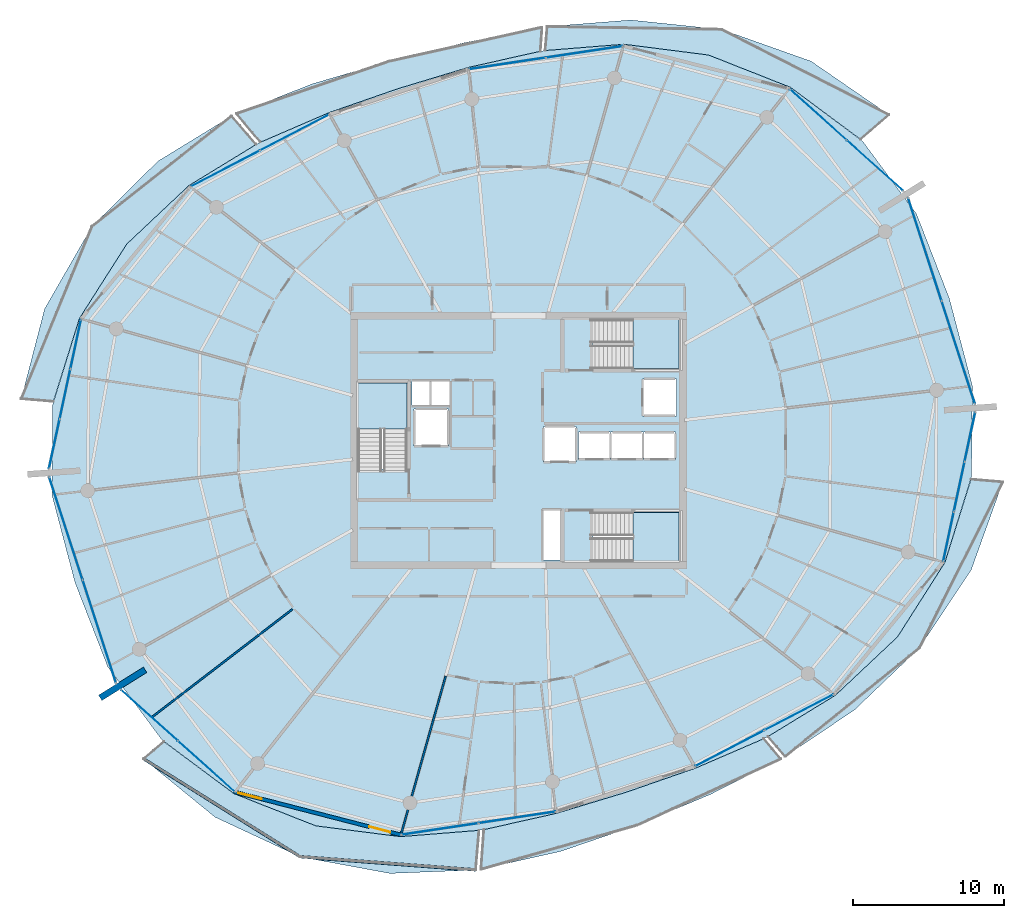
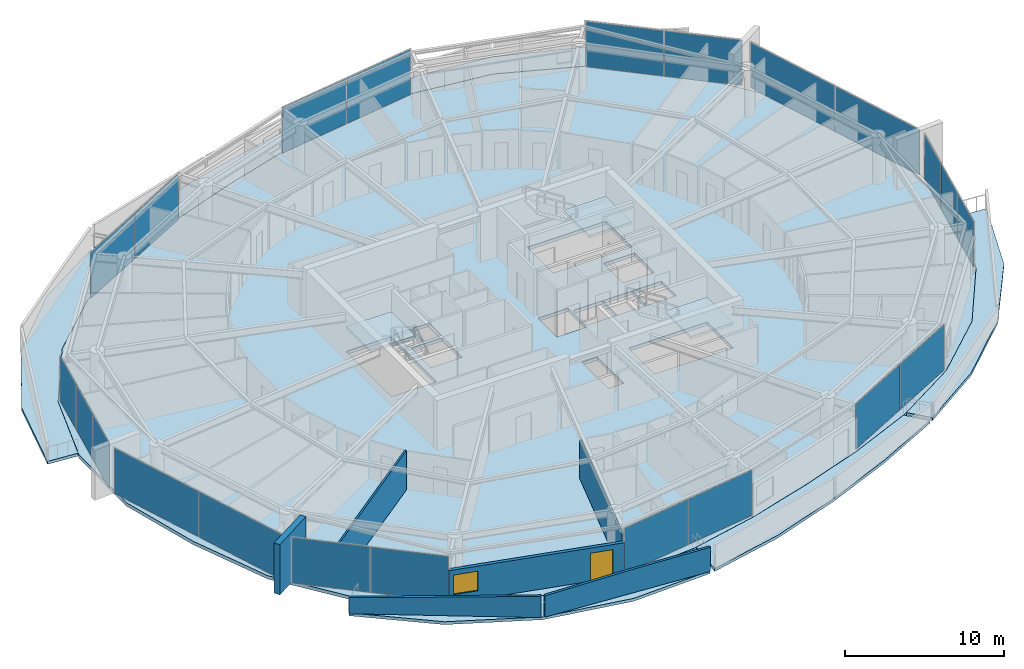
# One storey, part 17 of 30: 22 plates, 10 slabs, 6 walls, 1 door, 1 window, 2 openings, 13 elements without a shape of their own.
"""IFC4 building model written with IfcOpenShell, lengths in metres."""

from ifc_helpers import new_model, si_unit, direction, frame, frame_2d, origin, origin_2d, place, context, subcontext, project, spatial, polyline, rectangle, outline, extrude, material, layer, layer_set, type_object, element, fill, aggregate, save


model = new_model("IFC4")

# Units and contexts
model_context = context("Model", 3, precision=1e-05, world=origin(), true_north=direction((0.0, 1.0)))
body_context = subcontext(model_context, "Body", "Model", "MODEL_VIEW")
ifc_project = project(units=[si_unit("LENGTHUNIT", "METRE"), si_unit("AREAUNIT", "SQUARE_METRE"), si_unit("VOLUMEUNIT", "CUBIC_METRE"), si_unit("PLANEANGLEUNIT", "RADIAN"), si_unit("MASSUNIT", "GRAM", prefix="KILO")], contexts=[model_context])

# Site, building, storey
site_placement = place(None, origin())
site = spatial("IfcSite", under=ifc_project, at=site_placement, CompositionType="ELEMENT")
building_placement = place(site_placement, origin())
building = spatial("IfcBuilding", under=site, at=building_placement, Name="Kazma Halo Residences", CompositionType="ELEMENT")
storey_placement = place(building_placement, frame((0.0, 0.0, 298.300048828125)))
storey = spatial("IfcBuildingStorey", under=building, at=storey_placement, Name="L75", CompositionType="ELEMENT", Elevation=298.300048828125)

# Curtain wall, plates
ifc_material_1 = material(Name="Aluminium AW-6063 T6 and Triple-Silver Low-E Glass", Category="aluminium")
ifc_layer_1 = layer(ifc_material_1, 0.139892578125)
ifc_layer_set_1 = layer_set([ifc_layer_1], Name="Aluminium AW-6063 T6 and Triple-Silver Low-E Glass")
curtain_wall_type = type_object("IfcCurtainWallType", Name="CW-SYS-5", PredefinedType="NOTDEFINED", material=ifc_layer_set_1)
curtain_wall_1_placement = place(storey_placement, origin())
curtain_wall_1 = element("IfcCurtainWall", 1, at=curtain_wall_1_placement, inside=storey, type_object=curtain_wall_type, Name="L75 unitised curtain wall B01", PredefinedType="NOTDEFINED")
ifc_material_2 = material(Name="Clear Triple-Silver Low-E Glass IGU", Category="glass")
ifc_layer_2 = layer(ifc_material_2, 0.02587890625)
ifc_layer_set_2 = layer_set([ifc_layer_2], Name="Clear Triple-Silver Low-E Glass IGU")
plate_type = type_object("IfcPlateType", Name="CW-SYS-5-PNL", PredefinedType="CURTAIN_PANEL", material=ifc_layer_set_2)
plate_1_placement = place(storey_placement, frame((72.002685546875, 60.179443359375, 0.06005859375), z_axis=(0.0, 0.0, 1.0), x_axis=(-0.744336424671, 0.667804826958, 0.0)))
plate_1 = element("IfcPlate", 2, at=plate_1_placement, type_object=plate_type, Name="CWS-5 panel 1.1", PredefinedType="CURTAIN_PANEL", context=body_context, shape_type="SweptSolid", body=[
    extrude(rectangle(XDim=4.993408203125, YDim=0.02587890625, at=origin_2d()), origin(), (0.0, 0.0, 1.0), 3.469970703125),
])
plate_2_placement = place(storey_placement, frame((68.2412109375, 63.55419921875, 0.06005859375), z_axis=(0.0, 0.0, 1.0), x_axis=(-0.744336424671, 0.667804826958, 0.0)))
plate_2 = element("IfcPlate", 3, at=plate_2_placement, type_object=plate_type, Name="CWS-5 panel 2.1", PredefinedType="CURTAIN_PANEL", context=body_context, shape_type="SweptSolid", body=[
    extrude(rectangle(XDim=4.993408203125, YDim=0.02587890625, at=origin_2d()), origin(), (0.0, 0.0, 1.0), 3.469970703125),
])
aggregate(curtain_wall_1, [plate_1, plate_2])

curtain_wall_2_placement = place(storey_placement, origin())
curtain_wall_2 = element("IfcCurtainWall", 4, at=curtain_wall_2_placement, inside=storey, type_object=curtain_wall_type, Name="L75 unitised curtain wall B03", PredefinedType="NOTDEFINED")
plate_3_placement = place(storey_placement, frame((52.77783203125, 67.70361328125, 0.06005859375), z_axis=(0.0, 0.0, 1.0), x_axis=(-0.988882792998, -0.148697080374, 0.0)))
plate_3 = element("IfcPlate", 5, at=plate_3_placement, type_object=plate_type, Name="CWS-5 panel 1.1", PredefinedType="CURTAIN_PANEL", context=body_context, shape_type="SweptSolid", body=[
    extrude(rectangle(XDim=5.099853515625, YDim=0.02587890625, at=origin_2d()), origin(), (0.0, 0.0, 1.0), 3.469970703125),
])
plate_4_placement = place(storey_placement, frame((47.67529296875, 66.936279296875, 0.06005859375), z_axis=(0.0, 0.0, 1.0), x_axis=(-0.988882792998, -0.148697080374, 0.0)))
plate_4 = element("IfcPlate", 6, at=plate_4_placement, type_object=plate_type, Name="CWS-5 panel 2.1", PredefinedType="CURTAIN_PANEL", context=body_context, shape_type="SweptSolid", body=[
    extrude(rectangle(XDim=5.099853515625, YDim=0.02587890625, at=origin_2d()), origin(), (0.0, 0.0, 1.0), 3.469970703125),
])
aggregate(curtain_wall_2, [plate_3, plate_4])

curtain_wall_3_placement = place(storey_placement, origin())
curtain_wall_3 = element("IfcCurtainWall", 7, at=curtain_wall_3_placement, inside=storey, type_object=curtain_wall_type, Name="L75 unitised curtain wall B05", PredefinedType="NOTDEFINED")
plate_5_placement = place(storey_placement, frame((33.60546875, 62.36474609375, 0.06005859375), z_axis=(0.0, 0.0, 1.0), x_axis=(-0.887420518694, -0.460960760804, 0.0)))
plate_5 = element("IfcPlate", 8, at=plate_5_placement, type_object=plate_type, Name="CWS-5 panel 1.1", PredefinedType="CURTAIN_PANEL", context=body_context, shape_type="SweptSolid", body=[
    extrude(rectangle(XDim=5.099609375, YDim=0.02587890625, at=origin_2d()), origin(), (0.0, 0.0, 1.0), 3.469970703125),
])
plate_6_placement = place(storey_placement, frame((29.026611328125, 59.986328125, 0.06005859375), z_axis=(0.0, 0.0, 1.0), x_axis=(-0.887420518694, -0.460960760804, 0.0)))
plate_6 = element("IfcPlate", 9, at=plate_6_placement, type_object=plate_type, Name="CWS-5 panel 2.1", PredefinedType="CURTAIN_PANEL", context=body_context, shape_type="SweptSolid", body=[
    extrude(rectangle(XDim=5.099609375, YDim=0.02587890625, at=origin_2d()), origin(), (0.0, 0.0, 1.0), 3.469970703125),
])
aggregate(curtain_wall_3, [plate_5, plate_6])

curtain_wall_4_placement = place(storey_placement, origin())
curtain_wall_4 = element("IfcCurtainWall", 10, at=curtain_wall_4_placement, inside=storey, type_object=curtain_wall_type, Name="L75 unitised curtain wall B07", PredefinedType="NOTDEFINED")
plate_7_placement = place(storey_placement, frame((19.133056640625, 48.36865234375, 0.06005859375), z_axis=(0.0, 0.0, 1.0), x_axis=(-0.209657382603, -0.97777491373, 0.0)))
plate_7 = element("IfcPlate", 11, at=plate_7_placement, type_object=plate_type, Name="CWS-5 panel 1.1", PredefinedType="CURTAIN_PANEL", context=body_context, shape_type="SweptSolid", body=[
    extrude(rectangle(XDim=3.299072265625, YDim=0.02587890625, at=origin_2d()), origin(), (0.0, 0.0, 1.0), 3.469970703125),
])
plate_8_placement = place(storey_placement, frame((18.42578125, 45.069580078125, 0.06005859375), z_axis=(0.0, 0.0, 1.0), x_axis=(-0.209657382603, -0.97777491373, 0.0)))
plate_8 = element("IfcPlate", 12, at=plate_8_placement, type_object=plate_type, Name="CWS-5 panel 2.1", PredefinedType="CURTAIN_PANEL", context=body_context, shape_type="SweptSolid", body=[
    extrude(rectangle(XDim=3.3291015625, YDim=0.02587890625, at=origin_2d()), origin(), (0.0, 0.0, 1.0), 3.469970703125),
])
plate_9_placement = place(storey_placement, frame((17.71826171875, 41.7705078125, 0.06005859375), z_axis=(0.0, 0.0, 1.0), x_axis=(-0.209657382603, -0.97777491373, 0.0)))
plate_9 = element("IfcPlate", 13, at=plate_9_placement, type_object=plate_type, Name="CWS-5 panel 3.1", PredefinedType="CURTAIN_PANEL", context=body_context, shape_type="SweptSolid", body=[
    extrude(rectangle(XDim=3.299072265625, YDim=0.02587890625, at=origin_2d()), origin(), (0.0, 0.0, 1.0), 3.469970703125),
])
aggregate(curtain_wall_4, [plate_7, plate_8, plate_9])

curtain_wall_5_placement = place(storey_placement, origin())
curtain_wall_5 = element("IfcCurtainWall", 14, at=curtain_wall_5_placement, inside=storey, type_object=curtain_wall_type, Name="L75 unitised curtain wall B08", PredefinedType="NOTDEFINED")
plate_10_placement = place(storey_placement, frame((18.48486328125, 36.1787109375, 0.06005859375), z_axis=(0.0, 0.0, 1.0), x_axis=(0.309010998786, -0.951058464359, 0.0)))
plate_10 = element("IfcPlate", 15, at=plate_10_placement, type_object=plate_type, Name="CWS-5 panel 1.1", PredefinedType="CURTAIN_PANEL", context=body_context, shape_type="SweptSolid", body=[
    extrude(rectangle(XDim=7.108642578125, YDim=0.02587890625, at=origin_2d()), origin(), (0.0, 0.0, 1.0), 3.469970703125),
])
plate_11_placement = place(storey_placement, frame((20.699951171875, 29.36083984375, 0.06005859375), z_axis=(0.0, 0.0, 1.0), x_axis=(0.309010998786, -0.951058464359, 0.0)))
plate_11 = element("IfcPlate", 16, at=plate_11_placement, type_object=plate_type, Name="CWS-5 panel 2.1", PredefinedType="CURTAIN_PANEL", context=body_context, shape_type="SweptSolid", body=[
    extrude(rectangle(XDim=7.108642578125, YDim=0.02587890625, at=origin_2d()), origin(), (0.0, 0.0, 1.0), 3.469970703125),
])
aggregate(curtain_wall_5, [plate_10, plate_11])

curtain_wall_6_placement = place(storey_placement, origin())
curtain_wall_6 = element("IfcCurtainWall", 17, at=curtain_wall_6_placement, inside=storey, type_object=curtain_wall_type, Name="L75 unitised curtain wall B09", PredefinedType="NOTDEFINED")
plate_12_placement = place(storey_placement, frame((23.997314453125, 23.820556640625, 0.06005859375), z_axis=(0.0, 0.0, 1.0), x_axis=(0.744336424671, -0.667804826958, 0.0)))
plate_12 = element("IfcPlate", 18, at=plate_12_placement, type_object=plate_type, Name="CWS-5 panel 1.1", PredefinedType="CURTAIN_PANEL", context=body_context, shape_type="SweptSolid", body=[
    extrude(rectangle(XDim=4.993408203125, YDim=0.02587890625, at=origin_2d()), origin(), (0.0, 0.0, 1.0), 3.469970703125),
])
plate_13_placement = place(storey_placement, frame((27.7587890625, 20.44580078125, 0.06005859375), z_axis=(0.0, 0.0, 1.0), x_axis=(0.744336424671, -0.667804826958, 0.0)))
plate_13 = element("IfcPlate", 19, at=plate_13_placement, type_object=plate_type, Name="CWS-5 panel 2.1", PredefinedType="CURTAIN_PANEL", context=body_context, shape_type="SweptSolid", body=[
    extrude(rectangle(XDim=4.993408203125, YDim=0.02587890625, at=origin_2d()), origin(), (0.0, 0.0, 1.0), 3.469970703125),
])
aggregate(curtain_wall_6, [plate_12, plate_13])

curtain_wall_7_placement = place(storey_placement, origin())
curtain_wall_7 = element("IfcCurtainWall", 20, at=curtain_wall_7_placement, inside=storey, type_object=curtain_wall_type, Name="L75 unitised curtain wall B11", PredefinedType="NOTDEFINED")
plate_14_placement = place(storey_placement, frame((43.22216796875, 16.29638671875, 0.06005859375), z_axis=(0.0, 0.0, 1.0), x_axis=(0.988882792998, 0.148697080374, 0.0)))
plate_14 = element("IfcPlate", 21, at=plate_14_placement, type_object=plate_type, Name="CWS-5 panel 1.1", PredefinedType="CURTAIN_PANEL", context=body_context, shape_type="SweptSolid", body=[
    extrude(rectangle(XDim=5.099853515625, YDim=0.02587890625, at=origin_2d()), origin(), (0.0, 0.0, 1.0), 3.469970703125),
])
plate_15_placement = place(storey_placement, frame((48.32470703125, 17.063720703125, 0.06005859375), z_axis=(0.0, 0.0, 1.0), x_axis=(0.988882792998, 0.148697080374, 0.0)))
plate_15 = element("IfcPlate", 22, at=plate_15_placement, type_object=plate_type, Name="CWS-5 panel 2.1", PredefinedType="CURTAIN_PANEL", context=body_context, shape_type="SweptSolid", body=[
    extrude(rectangle(XDim=5.099853515625, YDim=0.02587890625, at=origin_2d()), origin(), (0.0, 0.0, 1.0), 3.469970703125),
])
aggregate(curtain_wall_7, [plate_14, plate_15])

curtain_wall_8_placement = place(storey_placement, origin())
curtain_wall_8 = element("IfcCurtainWall", 23, at=curtain_wall_8_placement, inside=storey, type_object=curtain_wall_type, Name="L75 unitised curtain wall B13", PredefinedType="NOTDEFINED")
plate_16_placement = place(storey_placement, frame((62.39453125, 21.63525390625, 0.06005859375), z_axis=(0.0, 0.0, 1.0), x_axis=(0.887420518694, 0.460960760804, 0.0)))
plate_16 = element("IfcPlate", 24, at=plate_16_placement, type_object=plate_type, Name="CWS-5 panel 1.1", PredefinedType="CURTAIN_PANEL", context=body_context, shape_type="SweptSolid", body=[
    extrude(rectangle(XDim=5.099609375, YDim=0.02587890625, at=origin_2d()), origin(), (0.0, 0.0, 1.0), 3.469970703125),
])
plate_17_placement = place(storey_placement, frame((66.973388671875, 24.013671875, 0.06005859375), z_axis=(0.0, 0.0, 1.0), x_axis=(0.887420518694, 0.460960760804, 0.0)))
plate_17 = element("IfcPlate", 25, at=plate_17_placement, type_object=plate_type, Name="CWS-5 panel 2.1", PredefinedType="CURTAIN_PANEL", context=body_context, shape_type="SweptSolid", body=[
    extrude(rectangle(XDim=5.099609375, YDim=0.02587890625, at=origin_2d()), origin(), (0.0, 0.0, 1.0), 3.469970703125),
])
aggregate(curtain_wall_8, [plate_16, plate_17])

curtain_wall_9_placement = place(storey_placement, origin())
curtain_wall_9 = element("IfcCurtainWall", 26, at=curtain_wall_9_placement, inside=storey, type_object=curtain_wall_type, Name="L75 unitised curtain wall B15", PredefinedType="NOTDEFINED")
plate_18_placement = place(storey_placement, frame((76.866943359375, 35.63134765625, 0.06005859375), z_axis=(0.0, 0.0, 1.0), x_axis=(0.209657382603, 0.97777491373, 0.0)))
plate_18 = element("IfcPlate", 27, at=plate_18_placement, type_object=plate_type, Name="CWS-5 panel 1.1", PredefinedType="CURTAIN_PANEL", context=body_context, shape_type="SweptSolid", body=[
    extrude(rectangle(XDim=3.299072265625, YDim=0.02587890625, at=origin_2d()), origin(), (0.0, 0.0, 1.0), 3.469970703125),
])
plate_19_placement = place(storey_placement, frame((77.57421875, 38.930419921875, 0.06005859375), z_axis=(0.0, 0.0, 1.0), x_axis=(0.209657382603, 0.97777491373, 0.0)))
plate_19 = element("IfcPlate", 28, at=plate_19_placement, type_object=plate_type, Name="CWS-5 panel 2.1", PredefinedType="CURTAIN_PANEL", context=body_context, shape_type="SweptSolid", body=[
    extrude(rectangle(XDim=3.3291015625, YDim=0.02587890625, at=origin_2d()), origin(), (0.0, 0.0, 1.0), 3.469970703125),
])
plate_20_placement = place(storey_placement, frame((78.28173828125, 42.2294921875, 0.06005859375), z_axis=(0.0, 0.0, 1.0), x_axis=(0.209657382603, 0.97777491373, 0.0)))
plate_20 = element("IfcPlate", 29, at=plate_20_placement, type_object=plate_type, Name="CWS-5 panel 3.1", PredefinedType="CURTAIN_PANEL", context=body_context, shape_type="SweptSolid", body=[
    extrude(rectangle(XDim=3.299072265625, YDim=0.02587890625, at=origin_2d()), origin(), (0.0, 0.0, 1.0), 3.469970703125),
])
aggregate(curtain_wall_9, [plate_18, plate_19, plate_20])

curtain_wall_10_placement = place(storey_placement, origin())
curtain_wall_10 = element("IfcCurtainWall", 30, at=curtain_wall_10_placement, inside=storey, type_object=curtain_wall_type, Name="L75 unitised curtain wall B16", PredefinedType="NOTDEFINED")
plate_21_placement = place(storey_placement, frame((77.51513671875, 47.8212890625, 0.06005859375), z_axis=(0.0, 0.0, 1.0), x_axis=(-0.309010998786, 0.951058464359, 0.0)))
plate_21 = element("IfcPlate", 31, at=plate_21_placement, type_object=plate_type, Name="CWS-5 panel 1.1", PredefinedType="CURTAIN_PANEL", context=body_context, shape_type="SweptSolid", body=[
    extrude(rectangle(XDim=7.108642578125, YDim=0.02587890625, at=origin_2d()), origin(), (0.0, 0.0, 1.0), 3.469970703125),
])
plate_22_placement = place(storey_placement, frame((75.300048828125, 54.63916015625, 0.06005859375), z_axis=(0.0, 0.0, 1.0), x_axis=(-0.309010998786, 0.951058464359, 0.0)))
plate_22 = element("IfcPlate", 32, at=plate_22_placement, type_object=plate_type, Name="CWS-5 panel 2.1", PredefinedType="CURTAIN_PANEL", context=body_context, shape_type="SweptSolid", body=[
    extrude(rectangle(XDim=7.108642578125, YDim=0.02587890625, at=origin_2d()), origin(), (0.0, 0.0, 1.0), 3.469970703125),
])
aggregate(curtain_wall_10, [plate_21, plate_22])

# Slabs
ifc_material_3 = material(Name="White Concrete C50/60", Category="concrete")
ifc_layer_3 = layer(ifc_material_3, 0.219970703125)
ifc_layer_set_3 = layer_set([ifc_layer_3], Name="White Concrete C50/60")
slab_type_1 = type_object("IfcSlabType", Name="SLB-BAL-WAVE-210", PredefinedType="FLOOR", material=ifc_layer_set_3)
slab_1_placement = place(storey_placement, frame((0.0, 0.0, -0.219970703125)))
element("IfcSlab", 33, at=slab_1_placement, inside=storey, type_object=slab_type_1, Name="L75 NE cantilevered wave balcony slab", PredefinedType="FLOOR", context=body_context, shape_type="SweptSolid", body=[
    extrude(outline(polyline([(71.0400390625, 61.9228515625), (66.41357421875, 65.357421875), (60.990478515625, 67.49560546875), (55.3916015625, 68.208984375), (50.188720703125, 67.794189453125), (50.322998046875, 69.37890625), (55.84375, 69.812255859375), (61.852783203125, 69.1875), (67.775146484375, 67.084716796875), (72.91748046875, 63.546142578125), (71.0400390625, 61.9228515625)])), origin(), (0.0, 0.0, 1.0), 0.219970703125),
])
slab_2_placement = place(storey_placement, frame((0.0, 0.0, -0.219970703125)))
element("IfcSlab", 34, at=slab_2_placement, inside=storey, type_object=slab_type_1, Name="L75 NNW cantilevered wave balcony slab", PredefinedType="FLOOR", context=body_context, shape_type="SweptSolid", body=[
    extrude(outline(polyline([(49.8681640625, 67.74609375), (45.080078125, 66.66943359375), (40.43994140625, 65.267333984375), (35.86181640625, 63.67431640625), (31.35546875, 61.731201171875), (29.76513671875, 63.6162109375), (34.787109375, 65.59326171875), (39.853271484375, 67.073486328125), (44.884521484375, 68.323486328125), (49.98291015625, 69.327392578125), (49.8681640625, 67.74609375)])), origin(), (0.0, 0.0, 1.0), 0.219970703125),
])
slab_3_placement = place(storey_placement, frame((0.0, 0.0, -0.219970703125)))
element("IfcSlab", 35, at=slab_3_placement, inside=storey, type_object=slab_type_1, Name="L75 NW cantilevered wave balcony slab", PredefinedType="FLOOR", context=body_context, shape_type="SweptSolid", body=[
    extrude(outline(polyline([(31.06787109375, 61.58154296875), (26.614501953125, 58.85888671875), (22.50439453125, 54.990478515625), (19.3740234375, 50.0732421875), (17.64990234375, 44.5751953125), (15.527099609375, 44.75537109375), (17.076904296875, 50.72119140625), (20.20703125, 56.1611328125), (24.56640625, 60.473388671875), (29.44287109375, 63.4609375), (31.06787109375, 61.58154296875)])), origin(), (0.0, 0.0, 1.0), 0.219970703125),
])
slab_4_placement = place(storey_placement, frame((0.0, 0.0, -0.219970703125)))
element("IfcSlab", 36, at=slab_4_placement, inside=storey, type_object=slab_type_1, Name="L75 SW cantilevered wave balcony slab", PredefinedType="FLOOR", context=body_context, shape_type="SweptSolid", body=[
    extrude(outline(polyline([(24.9599609375, 22.0771484375), (29.58642578125, 18.642578125), (35.009521484375, 16.50439453125), (40.6083984375, 15.791015625), (45.811279296875, 16.205810546875), (45.589111328125, 13.585205078125), (39.92138671875, 13.355712890625), (33.966552734375, 14.4580078125), (28.3505859375, 17.07470703125), (23.628662109375, 20.926025390625), (24.9599609375, 22.0771484375)])), origin(), (0.0, 0.0, 1.0), 0.219970703125),
])
slab_5_placement = place(storey_placement, frame((0.0, 0.0, -0.219970703125)))
element("IfcSlab", 37, at=slab_5_placement, inside=storey, type_object=slab_type_1, Name="L75 SSE cantilevered wave balcony slab", PredefinedType="FLOOR", context=body_context, shape_type="SweptSolid", body=[
    extrude(outline(polyline([(46.1318359375, 16.25390625), (50.919921875, 17.33056640625), (55.56005859375, 18.732666015625), (60.13818359375, 20.32568359375), (64.64453125, 22.268798828125), (65.769287109375, 20.935546875), (61.11376953125, 18.583740234375), (56.269775390625, 16.548095703125), (51.21728515625, 14.817626953125), (45.94189453125, 13.635498046875), (46.1318359375, 16.25390625)])), origin(), (0.0, 0.0, 1.0), 0.219970703125),
])
slab_6_placement = place(storey_placement, frame((0.0, 0.0, -0.219970703125)))
element("IfcSlab", 38, at=slab_6_placement, inside=storey, type_object=slab_type_1, Name="L75 SE cantilevered wave balcony slab", PredefinedType="FLOOR", context=body_context, shape_type="SweptSolid", body=[
    extrude(outline(polyline([(64.93212890625, 22.41845703125), (69.385498046875, 25.14111328125), (73.49560546875, 29.009521484375), (76.6259765625, 33.9267578125), (78.35009765625, 39.4248046875), (80.4541015625, 39.24609375), (78.3671875, 33.435546875), (74.936767578125, 28.27490234375), (70.63232421875, 24.157958984375), (66.0673828125, 21.10546875), (64.93212890625, 22.41845703125)])), origin(), (0.0, 0.0, 1.0), 0.219970703125),
])
ifc_material_4 = material(Name="Concrete C50/60", Category="concrete")
ifc_layer_4 = layer(ifc_material_4, 0.260009765625)
ifc_layer_set_4 = layer_set([ifc_layer_4], Name="Concrete C50/60")
slab_type_2 = type_object("IfcSlabType", Name="SLB-RES-260", PredefinedType="FLOOR", material=ifc_layer_set_4)
slab_7_placement = place(storey_placement, frame((0.0, 0.0, -0.260009765625)))
element("IfcSlab", 39, at=slab_7_placement, inside=storey, type_object=slab_type_2, Name="L75 structural floor slab", PredefinedType="FLOOR", context=body_context, shape_type="SweptSolid", body=[
    extrude(outline(polyline([(76.9189453125, 51.396240234375), (74.749755859375, 56.980712890625), (71.180419921875, 61.7978515625), (66.412109375, 65.355712890625), (60.98974609375, 67.49365234375), (55.39111328125, 68.207275390625), (50.02880859375, 67.7783203125), (45.080322265625, 66.66748046875), (40.440673828125, 65.265380859375), (35.86279296875, 63.672607421875), (31.20654296875, 61.66259765625), (26.6162109375, 58.857666015625), (22.50634765625, 54.98974609375), (19.3759765625, 50.07275390625), (17.60986328125, 44.391845703125), (17.5537109375, 38.396484375), (19.0810546875, 32.603759765625), (21.250244140625, 27.019287109375), (24.819580078125, 22.2021484375), (29.587890625, 18.644287109375), (35.01025390625, 16.50634765625), (40.60888671875, 15.792724609375), (45.97119140625, 16.2216796875), (50.919677734375, 17.33251953125), (55.559326171875, 18.734619140625), (60.13720703125, 20.327392578125), (64.79345703125, 22.33740234375), (69.3837890625, 25.142333984375), (73.49365234375, 29.01025390625), (76.6240234375, 33.92724609375), (78.39013671875, 39.608154296875), (78.4462890625, 45.603515625), (76.9189453125, 51.396240234375)]), holes=[polyline([(37.800048828125, 40.110107421875), (41.050048828125, 40.110107421875), (41.050048828125, 45.800048828125), (37.800048828125, 45.800048828125), (37.800048828125, 40.110107421875)]), polyline([(53.360107421875, 46.75), (59.050048828125, 46.75), (59.050048828125, 50.0), (53.360107421875, 50.0), (53.360107421875, 46.75)]), polyline([(53.360107421875, 34.0), (59.050048828125, 34.0), (59.050048828125, 37.25), (53.360107421875, 37.25), (53.360107421875, 34.0)]), polyline([(41.52001953125, 41.6201171875), (43.780029296875, 41.6201171875), (43.780029296875, 44.080078125), (41.52001953125, 44.080078125), (41.52001953125, 41.6201171875)]), polyline([(56.6201171875, 43.6201171875), (58.8798828125, 43.6201171875), (58.8798828125, 46.080078125), (56.6201171875, 46.080078125), (56.6201171875, 43.6201171875)]), polyline([(52.39501953125, 40.7451171875), (54.5048828125, 40.7451171875), (54.5048828125, 42.554931640625), (52.39501953125, 42.554931640625), (52.39501953125, 40.7451171875)]), polyline([(54.544921875, 40.7451171875), (56.655029296875, 40.7451171875), (56.655029296875, 42.554931640625), (54.544921875, 42.554931640625), (54.544921875, 40.7451171875)]), polyline([(56.695068359375, 40.7451171875), (58.804931640625, 40.7451171875), (58.804931640625, 42.554931640625), (56.695068359375, 42.554931640625), (56.695068359375, 40.7451171875)]), polyline([(50.070068359375, 40.570068359375), (52.22998046875, 40.570068359375), (52.22998046875, 42.929931640625), (50.070068359375, 42.929931640625), (50.070068359375, 40.570068359375)]), polyline([(41.360107421875, 44.340087890625), (42.5400390625, 44.340087890625), (42.5400390625, 45.89990234375), (41.360107421875, 45.89990234375), (41.360107421875, 44.340087890625)]), polyline([(42.659912109375, 44.340087890625), (43.840087890625, 44.340087890625), (43.840087890625, 45.89990234375), (42.659912109375, 45.89990234375), (42.659912109375, 44.340087890625)]), polyline([(50.06005859375, 34.080078125), (51.159912109375, 34.080078125), (51.159912109375, 37.3798828125), (50.06005859375, 37.3798828125), (50.06005859375, 34.080078125)])]), origin(), (0.0, 0.0, 1.0), 0.260009765625),
])

# Stair, slab
stair_type = type_object("IfcStairType", Name="STR-RES2", PredefinedType="HALF_TURN_STAIR", material=ifc_material_4)
stair_1_placement = place(storey_placement, origin())
stair_1 = element("IfcStair", 40, at=stair_1_placement, inside=storey, type_object=stair_type, Name="L75 Core exit stair ST-01", PredefinedType="HALF_TURN_STAIR")
ifc_layer_5 = layer(ifc_material_4, 0.199951171875)
ifc_layer_set_5 = layer_set([ifc_layer_5], Name="Concrete C50/60")
slab_type_3 = type_object("IfcSlabType", Name="SLB-STAIR-LND-200", PredefinedType="LANDING", material=ifc_layer_set_5)
slab_8_placement = place(storey_placement, frame((0.0, 0.0, 1.724853515625)))
slab_8 = element("IfcSlab", 41, at=slab_8_placement, type_object=slab_type_3, Name="ST-01 landing 1", PredefinedType="LANDING", context=body_context, shape_type="SweptSolid", body=[
    extrude(outline(polyline([(41.050048828125, 42.75), (41.050048828125, 45.800048828125), (37.800048828125, 45.800048828125), (37.800048828125, 42.75), (41.050048828125, 42.75)])), origin(), (0.0, 0.0, 1.0), 0.2001953125),
])
aggregate(stair_1, [slab_8])

stair_2_placement = place(storey_placement, origin())
stair_2 = element("IfcStair", 42, at=stair_2_placement, inside=storey, type_object=stair_type, Name="L75 Core exit stair ST-02", PredefinedType="HALF_TURN_STAIR")
slab_9_placement = place(storey_placement, frame((0.0, 0.0, 1.724853515625)))
slab_9 = element("IfcSlab", 43, at=slab_9_placement, type_object=slab_type_3, Name="ST-02 landing 1", PredefinedType="LANDING", context=body_context, shape_type="SweptSolid", body=[
    extrude(outline(polyline([(56.0, 46.75), (59.050048828125, 46.75), (59.050048828125, 50.0), (56.0, 50.0), (56.0, 46.75)])), origin(), (0.0, 0.0, 1.0), 0.2001953125),
])
aggregate(stair_2, [slab_9])

stair_3_placement = place(storey_placement, origin())
stair_3 = element("IfcStair", 44, at=stair_3_placement, inside=storey, type_object=stair_type, Name="L75 Core exit stair ST-03", PredefinedType="HALF_TURN_STAIR")
slab_10_placement = place(storey_placement, frame((0.0, 0.0, 1.724853515625)))
slab_10 = element("IfcSlab", 45, at=slab_10_placement, type_object=slab_type_3, Name="ST-03 landing 1", PredefinedType="LANDING", context=body_context, shape_type="SweptSolid", body=[
    extrude(outline(polyline([(56.0, 34.0), (59.050048828125, 34.0), (59.050048828125, 37.25), (56.0, 37.25), (56.0, 34.0)])), origin(), (0.0, 0.0, 1.0), 0.2001953125),
])
aggregate(stair_3, [slab_10])

# Walls
ifc_material_5 = material(Name="White Concrete C50/60 Balustrade", Category="concrete")
ifc_layer_6 = layer(ifc_material_5, 0.179931640625)
ifc_layer_set_6 = layer_set([ifc_layer_6], Name="White Concrete C50/60 Balustrade")
wall_type_1 = type_object("IfcWallType", Name="WL-BAL-WAVE-180", PredefinedType="PARAPET", material=ifc_layer_set_6)
wall_1_placement = place(storey_placement, frame((23.628662109375, 20.926025390625, 0.0), z_axis=(0.0, 0.0, 1.0), x_axis=(0.847743764475, -0.53040598582, 0.0)))
element("IfcWall", 46, at=wall_1_placement, inside=storey, type_object=wall_type_1, Name="L75 white wave balustrade wall SW.1", PredefinedType="PARAPET", context=body_context, shape_type="SweptSolid", body=[
    extrude(outline(polyline([(0.0, 0.0), (12.07470703125, 0.0), (12.07470703125, 1.6318359375), (6.037353515625, 1.41796875), (0.0, 1.23291015625), (0.0, 0.0)])), frame((0.0, 0.08984375, 0.0), z_axis=(0.0, -1.0, 0.0), x_axis=(1.0, 0.0, 0.0)), (0.0, 0.0, 1.0), 0.179931640625),
])
wall_2_placement = place(storey_placement, frame((34.086181640625, 14.448974609375, 0.0), z_axis=(0.0, 0.0, 1.0), x_axis=(0.997192518369, -0.074880446769, 0.0)))
element("IfcWall", 47, at=wall_2_placement, inside=storey, type_object=wall_type_1, Name="L75 white wave balustrade wall SW.2", PredefinedType="PARAPET", context=body_context, shape_type="SweptSolid", body=[
    extrude(outline(polyline([(0.0, 0.0), (11.535400390625, 0.0), (11.53515625, 1.85986328125), (5.767578125, 1.7978515625), (0.0, 1.6318359375), (0.0, 0.0)])), frame((0.0, 0.08984375, 0.0), z_axis=(0.0, -1.0, 0.0), x_axis=(1.0, 0.0, 0.0)), (0.0, 0.0, 1.0), 0.179931640625),
])
ifc_material_6 = material(Name="Pale Concrete C60/75", Category="concrete")
ifc_layer_7 = layer(ifc_material_6, 0.419921875)
ifc_layer_set_7 = layer_set([ifc_layer_7], Name="Pale Concrete C60/75")
wall_type_2 = type_object("IfcWallType", Name="WL-BLADE-420", PredefinedType="SOLIDWALL", material=ifc_layer_set_7)
wall_3_placement = place(storey_placement, frame((23.718505859375, 26.827392578125, 0.0), z_axis=(0.0, 0.0, 1.0), x_axis=(-0.848033572426, -0.529942506352, 0.0)))
element("IfcWall", 48, at=wall_3_placement, inside=storey, type_object=wall_type_2, Name="L75 pale concrete structural blade fin wall BW-03", PredefinedType="SOLIDWALL", context=body_context, shape_type="SweptSolid", body=[
    extrude(rectangle(XDim=3.5, YDim=0.419921875, at=frame_2d((1.75, 0.0))), origin(), (0.0, 0.0, 1.0), 3.849853515625),
])

# Wall, openings, door, window
ifc_material_7 = material(Name="Insulated Pale-Metal Composite Wall")
ifc_layer_8 = layer(ifc_material_7, 0.239990234375)
ifc_layer_set_8 = layer_set([ifc_layer_8], Name="Insulated Pale-Metal Composite Wall")
wall_type_3 = type_object("IfcWallType", Name="WL-EXT-HOST-240", PredefinedType="SOLIDWALL", material=ifc_layer_set_8)
wall_4_placement = place(storey_placement, frame((29.613525390625, 18.7509765625, 0.0), z_axis=(0.0, 0.0, 1.0), x_axis=(0.968343758421, -0.249620442927, 0.0)))
wall_4 = element("IfcWall", 49, at=wall_4_placement, inside=storey, type_object=wall_type_3, Name="L75 exterior terrace-access wall B10", PredefinedType="SOLIDWALL", context=body_context, shape_type="SweptSolid", body=[
    extrude(rectangle(XDim=11.438232421875, YDim=0.239990234375, at=frame_2d((5.71923828125, 0.0))), origin(), (0.0, 0.0, 1.0), 2.5400390625),
])
opening_1_placement = place(wall_4_placement, frame((9.21826171875, 0.0, 0.0)))
opening_1 = element("IfcOpeningElement", 50, at=opening_1_placement, cuts=wall_4, Name="Opening DTR-1600", PredefinedType="OPENING", context=body_context, shape_type="SweptSolid", body=[
    extrude(rectangle(XDim=1.449951171875, YDim=2.14990234375, at=frame_2d((0.72509765625, 1.074951171875))), frame((0.0, 0.1298828125, 0.0), z_axis=(0.0, -1.0, 0.0), x_axis=(1.0, 0.0, 0.0)), (0.0, 0.0, 1.0), 0.260009765625),
])
opening_2_placement = place(wall_4_placement, frame((0.280029296875, 0.0, 0.64990234375)))
opening_2 = element("IfcOpeningElement", 51, at=opening_2_placement, cuts=wall_4, Name="Opening W-1800", PredefinedType="OPENING", context=body_context, shape_type="SweptSolid", body=[
    extrude(rectangle(XDim=1.60009765625, YDim=1.5, at=frame_2d((0.800048828125, 0.75))), frame((0.0, 0.1298828125, 0.0), z_axis=(0.0, -1.0, 0.0), x_axis=(1.0, 0.0, 0.0)), (0.0, 0.0, 1.0), 0.260009765625),
])
ifc_material_8 = material(Name="Aluminium AW-6063 T6 Double-Glazed Terrace Door", Category="aluminium")
door_type = type_object("IfcDoorType", Name="DR-EXT-TERR-1600", OperationType="NOTDEFINED", PredefinedType="DOOR", material=ifc_material_8)
door_placement = place(opening_1_placement, origin())
door = element("IfcDoor", 52, at=door_placement, inside=storey, type_object=door_type, Name="L75 B10 balcony terrace door", OperationType="DOUBLE_DOOR_SLIDING", OverallHeight=2.14990234375, OverallWidth=1.449951171875, PredefinedType="DOOR", context=body_context, shape_type="SweptSolid", body=[
    extrude(rectangle(XDim=1.449951171875, YDim=2.14990234375, at=frame_2d((0.72509765625, 1.074951171875))), frame((0.0, 0.02490234375, 0.0), z_axis=(0.0, -1.0, 0.0), x_axis=(1.0, 0.0, 0.0)), (0.0, 0.0, 1.0), 0.050048828125),
])
fill(opening_1, door)
ifc_material_9 = material(Name="Clear Triple-Silver Low-E Glass in Aluminium AW-6063 T6 Frame", Category="aluminium")
window_type = type_object("IfcWindowType", Name="WIN-RES-1800", PartitioningType="DOUBLE_PANEL_VERTICAL", PredefinedType="WINDOW", material=ifc_material_9)
window_placement = place(opening_2_placement, origin())
window = element("IfcWindow", 53, at=window_placement, inside=storey, type_object=window_type, Name="L75 B10 apartment window", OverallHeight=1.5, OverallWidth=1.60009765625, PartitioningType="SINGLE_PANEL", PredefinedType="WINDOW", context=body_context, shape_type="SweptSolid", body=[
    extrude(rectangle(XDim=1.60009765625, YDim=1.5, at=frame_2d((0.800048828125, 0.75))), frame((0.0, 0.030029296875, 0.0), z_axis=(0.0, -1.0, 0.0), x_axis=(1.0, 0.0, 0.0)), (0.0, 0.0, 1.0), 0.06005859375),
])
fill(opening_2, window)

# Walls
ifc_material_10 = material(Name="Gypsum Plasterboard Partition")
ifc_layer_9 = layer(ifc_material_10, 0.125)
ifc_layer_set_9 = layer_set([ifc_layer_9], Name="Gypsum Plasterboard Partition")
wall_type_4 = type_object("IfcWallType", Name="WL-PART-125", PredefinedType="PARTITIONING", material=ifc_layer_set_9)
wall_5_placement = place(storey_placement, frame((43.60107421875, 26.402587890625, 0.0), z_axis=(0.0, 0.0, 1.0), x_axis=(-0.271440797747, -0.962455138341, 0.0)))
element("IfcWall", 54, at=wall_5_placement, inside=storey, type_object=wall_type_4, Name="L75 Apartment 1 radial partition 10", PredefinedType="PARTITIONING", context=body_context, shape_type="SweptSolid", body=[
    extrude(rectangle(XDim=10.77880859375, YDim=0.125, at=frame_2d((5.389404296875, 0.0))), origin(), (0.0, 0.0, 1.0), 2.95703125),
])
wall_6_placement = place(storey_placement, frame((33.466796875, 30.836181640625, 0.0), z_axis=(0.0, 0.0, 1.0), x_axis=(-0.793032685216, -0.609179087115, 0.0)))
element("IfcWall", 55, at=wall_6_placement, inside=storey, type_object=wall_type_4, Name="L75 Apartment 2 mid-bay wall 8", PredefinedType="PARTITIONING", context=body_context, shape_type="SweptSolid", body=[
    extrude(rectangle(XDim=11.72021484375, YDim=0.125, at=frame_2d((5.860107421875, 0.0))), origin(), (0.0, 0.0, 1.0), 3.030029296875),
])

save(model, "model.ifc")
